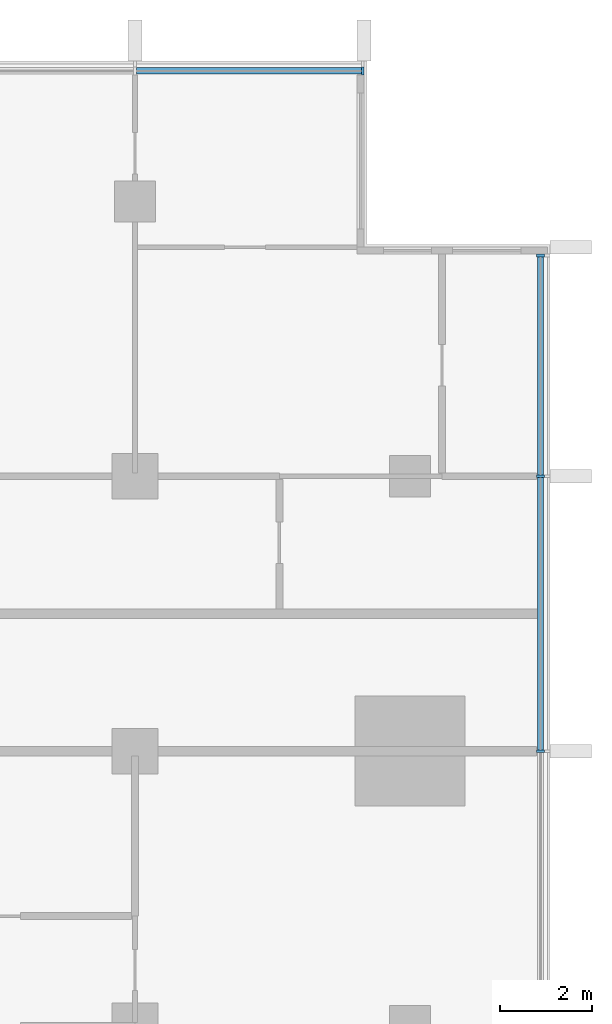
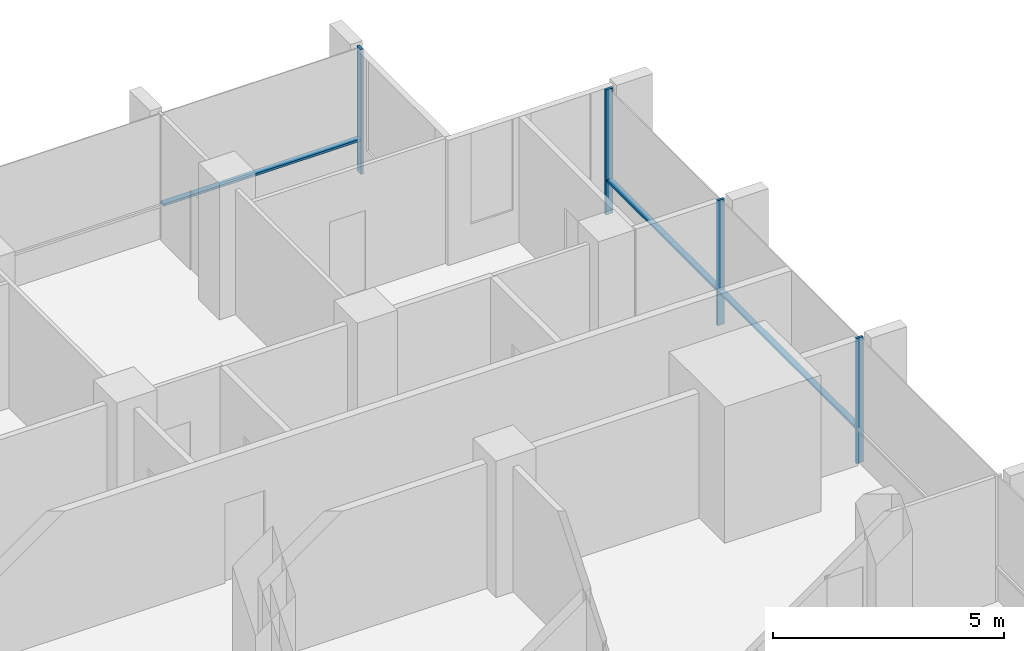
# One storey, part 5 of 17: 7 members, 2 elements without a shape of their own.
"""IFC4 building model written with IfcOpenShell, lengths in metres."""

import ifcopenshell
import ifcopenshell.guid

model = None  # the IFC model being written
_history = None  # IfcOwnerHistory: only IFC2X3 demands one
_inside = {}  # id of a spatial element -> (the spatial element, [elements in it])
_under = {}  # id of a project, library or spatial element -> (it, [spatial elements below it])
_declared = {}  # id of a project -> (the project, [libraries it declares])
_typed = {}  # id of a type object -> (the type object, [elements of that type])
_made_of = {}  # id of a material, layer set ... -> (it, [elements and type objects made of it])


def new_model(schema):
    """Start an empty IFC model of exactly this schema.

    Asked for "IFC4X3", IfcOpenShell would pick the latest addendum, in which some entities
    have other attributes; the version numbers below select the first issue.
    IFC2X3 requires an IfcOwnerHistory on every rooted entity: one is made here for all.
    """
    global model, _history
    if schema == "IFC4X3":
        model = ifcopenshell.file(schema_version=(4, 3, 0, 0))
    else:
        model = ifcopenshell.file(schema=schema)
    _inside.clear()
    _under.clear()
    _declared.clear()
    _typed.clear()
    _made_of.clear()
    _history = None
    if model.schema == "IFC2X3":
        org = make("IfcOrganization", Name="unknown")
        user = make(
            "IfcPersonAndOrganization",
            ThePerson=make("IfcPerson", FamilyName="unknown"),
            TheOrganization=org,
        )
        app = make(
            "IfcApplication",
            ApplicationDeveloper=org,
            Version="unknown",
            ApplicationFullName="unknown",
            ApplicationIdentifier="unknown",
        )
        _history = make(
            "IfcOwnerHistory",
            OwningUser=user,
            OwningApplication=app,
            ChangeAction="ADDED",
            CreationDate=0,
        )
    return model


def make(cls, **values):
    """One entity of the class cls with the attributes given. An attribute that is None is left unset."""
    return model.create_entity(
        cls, **{name: value for name, value in values.items() if value is not None}
    )


def rooted(cls, **values):
    """An entity with a GlobalId (a new one), such as an element, a storey or a relation."""
    return make(cls, GlobalId=ifcopenshell.guid.new(), OwnerHistory=_history, **values)


def si_unit(unit_type, name, prefix=None):
    """IfcSIUnit, for example si_unit("LENGTHUNIT", "METRE", prefix="MILLI")."""
    return make("IfcSIUnit", UnitType=unit_type, Prefix=prefix, Name=name)


def assignment(units):
    """IfcUnitAssignment: the units of a project."""
    return None if units is None else make("IfcUnitAssignment", Units=units)


def point(xyz):
    """IfcCartesianPoint."""
    return None if xyz is None else make("IfcCartesianPoint", Coordinates=xyz)


def direction(xyz):
    """IfcDirection."""
    return None if xyz is None else make("IfcDirection", DirectionRatios=xyz)


def frame(location, z_axis=None, x_axis=None):
    """IfcAxis2Placement3D, a coordinate frame: its origin and axes. An axis left out is left unset."""
    return make(
        "IfcAxis2Placement3D",
        Location=point(location),
        Axis=direction(z_axis),
        RefDirection=direction(x_axis),
    )


def frame_2d(location, x_axis=None):
    """IfcAxis2Placement2D, a coordinate frame in the plane: its origin and x axis."""
    return make(
        "IfcAxis2Placement2D", Location=point(location), RefDirection=direction(x_axis)
    )


def origin():
    """The frame at (0, 0, 0) with its axes left unset."""
    return frame((0.0, 0.0, 0.0))


def origin_2d():
    """The frame at (0, 0) in the plane with its x axis left unset."""
    return frame_2d((0.0, 0.0))


def place(relative_to, where):
    """IfcLocalPlacement: puts the frame where relative to a parent placement (None: the world)."""
    return make(
        "IfcLocalPlacement", PlacementRelTo=relative_to, RelativePlacement=where
    )


def context(
    kind, dimensions, precision=None, world=None, true_north=None, identifier=None
):
    """IfcGeometricRepresentationContext, for example the 3D "Model" context."""
    return make(
        "IfcGeometricRepresentationContext",
        ContextIdentifier=identifier,
        ContextType=kind,
        CoordinateSpaceDimension=dimensions,
        Precision=precision,
        WorldCoordinateSystem=world,
        TrueNorth=true_north,
    )


def subcontext(parent, identifier, kind, view, scale=None):
    """IfcGeometricRepresentationSubContext, for example "Body" below "Model"."""
    return make(
        "IfcGeometricRepresentationSubContext",
        ContextIdentifier=identifier,
        ContextType=kind,
        ParentContext=parent,
        TargetScale=scale,
        TargetView=view,
    )


def project(units=None, contexts=None):
    """IfcProject with its units and contexts."""
    return rooted(
        "IfcProject",
        Name="project",
        RepresentationContexts=contexts,
        UnitsInContext=assignment(units),
    )


def spatial(cls, under=None, at=None, **own):
    """A site, building, storey or space (cls), placed at a placement, below another one or the project."""
    s = rooted(cls, ObjectPlacement=at, **own)
    if under is not None:
        _under.setdefault(under.id(), (under, []))[1].append(s)
    return s


def profile(cls, at=None, kind="AREA", **sizes):
    """A parametric profile (cls). Its sizes go by their IFC names, for example OverallWidth=200.0."""
    return make(cls, ProfileType=kind, Position=at, **sizes)


def rectangle(**sizes):
    """IfcRectangleProfileDef."""
    return profile("IfcRectangleProfileDef", **sizes)


def extrude(swept, where, along, depth):
    """IfcExtrudedAreaSolid: the profile swept, set in the frame where, extruded along a direction by depth."""
    return make(
        "IfcExtrudedAreaSolid",
        SweptArea=swept,
        Position=where,
        ExtrudedDirection=direction(along),
        Depth=depth,
    )


def shape(context_of_items, identifier, shape_type, items):
    """IfcShapeRepresentation: the items that make up one representation, for example the "Body"."""
    return make(
        "IfcShapeRepresentation",
        ContextOfItems=context_of_items,
        RepresentationIdentifier=identifier,
        RepresentationType=shape_type,
        Items=items,
    )


def material(Name=None, Category=None):
    """IfcMaterial."""
    return make("IfcMaterial", Name=Name, Category=Category)


def material_profile(
    of_material, cross_section, Name=None, Category=None, Priority=None
):
    """IfcMaterialProfile: a cross section and its material."""
    return make(
        "IfcMaterialProfile",
        Name=Name,
        Material=of_material,
        Profile=cross_section,
        Priority=Priority,
        Category=Category,
    )


def profile_set(profiles, Name=None, composite=None):
    """IfcMaterialProfileSet."""
    return make(
        "IfcMaterialProfileSet",
        Name=Name,
        MaterialProfiles=profiles,
        CompositeProfile=composite,
    )


def made_of(thing, what):
    """Note that an element or type object is made of a material, layer set ...; save() writes the relation."""
    if what is not None:
        _made_of.setdefault(what.id(), (what, []))[1].append(thing)
    return thing


def type_object(cls, material=None, **own):
    """A type object (cls), such as IfcWallType, which elements share."""
    return made_of(rooted(cls, **own), material)


def element(
    cls,
    number,
    at=None,
    inside=None,
    cuts=None,
    type_object=None,
    material=None,
    context=None,
    identifier="Body",
    shape_type=None,
    held_by="IfcProductDefinitionShape",
    body=None,
    shapes=None,
    **own,
):
    """One element of the class cls, such as IfcWall. Its Tag is "e" and its number.

    at: its placement. inside: the storey or other place that contains it. cuts: it is an
    opening in that element (IfcRelVoidsElement). A single representation is given by context,
    identifier, shape_type and body (its items); several are given by shapes. held_by: the class
    of the entity that holds the representations. save() writes the other relations.
    """
    e = rooted(cls, Tag="e%d" % number, ObjectPlacement=at, **own)
    if body is not None:
        shapes = [shape(context, identifier, shape_type, body)]
    if shapes is not None:
        e.Representation = make(held_by, Representations=shapes)
    if inside is not None:
        _inside.setdefault(inside.id(), (inside, []))[1].append(e)
    if cuts is not None:
        rooted(
            "IfcRelVoidsElement", RelatingBuildingElement=cuts, RelatedOpeningElement=e
        )
    if type_object is not None:
        _typed.setdefault(type_object.id(), (type_object, []))[1].append(e)
    return made_of(e, material)


def aggregate(whole, parts):
    """IfcRelAggregates: a whole, such as a stair, and the parts it consists of."""
    return rooted("IfcRelAggregates", RelatingObject=whole, RelatedObjects=parts)


def save(model, path):
    """Write the relations noted so far, then the file.

    IfcRelAggregates (storeys below a building ...), IfcRelContainedInSpatialStructure (elements
    in a storey), IfcRelDefinesByType, IfcRelAssociatesMaterial and IfcRelDeclares: one each for
    every whole, place, type object, material and project.
    """
    for whole, parts in _under.values():
        aggregate(whole, parts)
    for where, things in _inside.values():
        rooted(
            "IfcRelContainedInSpatialStructure",
            RelatedElements=things,
            RelatingStructure=where,
        )
    for kind, things in _typed.values():
        rooted("IfcRelDefinesByType", RelatedObjects=things, RelatingType=kind)
    for what, things in _made_of.values():
        rooted("IfcRelAssociatesMaterial", RelatedObjects=things, RelatingMaterial=what)
    for by, libraries in _declared.values():
        rooted("IfcRelDeclares", RelatingContext=by, RelatedDefinitions=libraries)
    model.write(path)


model = new_model("IFC4")

# Units and contexts
model_context = context("Model", 3, precision=1e-05, world=origin(), true_north=direction((0.0, 1.0)))
body_context = subcontext(model_context, "Body", "Model", "MODEL_VIEW")
ifc_project = project(units=[si_unit("LENGTHUNIT", "METRE"), si_unit("AREAUNIT", "SQUARE_METRE"), si_unit("VOLUMEUNIT", "CUBIC_METRE"), si_unit("PLANEANGLEUNIT", "RADIAN"), si_unit("MASSUNIT", "GRAM", prefix="KILO")], contexts=[model_context])

# Site, building, storey
site_placement = place(None, origin())
site = spatial("IfcSite", under=ifc_project, at=site_placement, CompositionType="ELEMENT")
building_placement = place(site_placement, origin())
building = spatial("IfcBuilding", under=site, at=building_placement, Name="Finial Court Residences", CompositionType="ELEMENT")
storey_placement = place(building_placement, frame((0.0, 0.0, 174.5)))
storey = spatial("IfcBuildingStorey", under=building, at=storey_placement, Name="L43", CompositionType="ELEMENT", Elevation=174.5)

# Curtain wall, member
ifc_material = material(Name="Bronze anodised aluminium", Category="aluminium")
curtain_wall_type = type_object("IfcCurtainWallType", Name="Unitised curtain wall, upper zones", PredefinedType="NOTDEFINED", material=ifc_material)
curtain_wall_1_placement = place(storey_placement, origin())
curtain_wall_1 = element("IfcCurtainWall", 1, at=curtain_wall_1_placement, inside=storey, type_object=curtain_wall_type, Name="E-L43-CW-N3", PredefinedType="NOTDEFINED")
ifc_material_profile_1 = material_profile(ifc_material, rectangle(XDim=0.175048828125, YDim=0.06005859375, at=origin_2d()), Name="CW2 mullion 60 x 175")
ifc_profile_set_1 = profile_set([ifc_material_profile_1], Name="Bronze anodised aluminium")
member_type_1 = type_object("IfcMemberType", Name="CW2 mullion 60 x 175", PredefinedType="MULLION", material=ifc_profile_set_1)
member_1_placement = place(storey_placement, frame((15.469970703125, 22.35009765625, 0.0), z_axis=(0.0, 0.0, 1.0), x_axis=(0.0, 1.0, 0.0)))
member_1 = element("IfcMember", 2, at=member_1_placement, type_object=member_type_1, Name="CW2 mullion 3", PredefinedType="MULLION", context=body_context, shape_type="SweptSolid", body=[
    extrude(rectangle(XDim=0.175048828125, YDim=0.06005859375, at=origin_2d()), origin(), (0.0, 0.0, 1.0), 3.300048828125),
])

# Curtain wall, members
curtain_wall_2_placement = place(storey_placement, origin())
curtain_wall_2 = element("IfcCurtainWall", 3, at=curtain_wall_2_placement, inside=storey, type_object=curtain_wall_type, Name="E-L43-CW-E6", PredefinedType="NOTDEFINED")
member_2_placement = place(storey_placement, frame((19.35009765625, 7.5, 0.0), z_axis=(0.0, 0.0, 1.0), x_axis=(-1.0, 0.0, 0.0)))
member_2 = element("IfcMember", 4, at=member_2_placement, type_object=member_type_1, Name="CW2 mullion 3", PredefinedType="MULLION", context=body_context, shape_type="SweptSolid", body=[
    extrude(rectangle(XDim=0.175048828125, YDim=0.06005859375, at=origin_2d()), origin(), (0.0, 0.0, 1.0), 3.300048828125),
])
member_3_placement = place(storey_placement, frame((19.35009765625, 13.5, 0.0), z_axis=(0.0, 0.0, 1.0), x_axis=(-1.0, 0.0, 0.0)))
member_3 = element("IfcMember", 5, at=member_3_placement, type_object=member_type_1, Name="CW2 mullion 4", PredefinedType="MULLION", context=body_context, shape_type="SweptSolid", body=[
    extrude(rectangle(XDim=0.175048828125, YDim=0.06005859375, at=origin_2d()), origin(), (0.0, 0.0, 1.0), 3.300048828125),
])
member_4_placement = place(storey_placement, frame((19.35009765625, 18.320068359375, 0.0), z_axis=(0.0, 0.0, 1.0), x_axis=(-1.0, 0.0, 0.0)))
member_4 = element("IfcMember", 6, at=member_4_placement, type_object=member_type_1, Name="CW2 mullion 5", PredefinedType="MULLION", context=body_context, shape_type="SweptSolid", body=[
    extrude(rectangle(XDim=0.175048828125, YDim=0.06005859375, at=origin_2d()), origin(), (0.0, 0.0, 1.0), 3.300048828125),
])

# Member
ifc_material_profile_2 = material_profile(ifc_material, rectangle(XDim=0.139892578125, YDim=0.06005859375, at=origin_2d()), Name="CW2 transom 60 x 140")
ifc_profile_set_2 = profile_set([ifc_material_profile_2], Name="Bronze anodised aluminium")
member_type_2 = type_object("IfcMemberType", Name="CW2 transom 60 x 140", PredefinedType="USERDEFINED", material=ifc_profile_set_2)
member_5_placement = place(storey_placement, frame((10.530029296875, 22.35009765625, 0.89990234375), z_axis=(1.0, 0.0, 0.0), x_axis=(0.0, 1.0, 0.0)))
member_5 = element("IfcMember", 7, at=member_5_placement, type_object=member_type_2, Name="CW2 transom 2.1", ObjectType="TRANSOM", PredefinedType="USERDEFINED", context=body_context, shape_type="SweptSolid", body=[
    extrude(rectangle(XDim=0.139892578125, YDim=0.06005859375, at=origin_2d()), origin(), (0.0, 0.0, 1.0), 4.909912109375),
])

aggregate(curtain_wall_1, [member_1, member_5])

member_6_placement = place(storey_placement, frame((19.35009765625, 7.530029296875, 0.89990234375), z_axis=(0.0, 1.0, 0.0), x_axis=(-1.0, 0.0, 0.0)))
member_6 = element("IfcMember", 8, at=member_6_placement, type_object=member_type_2, Name="CW2 transom 3.1", ObjectType="TRANSOM", PredefinedType="USERDEFINED", context=body_context, shape_type="SweptSolid", body=[
    extrude(rectangle(XDim=0.139892578125, YDim=0.06005859375, at=origin_2d()), origin(), (0.0, 0.0, 1.0), 5.93994140625),
])

member_7_placement = place(storey_placement, frame((19.35009765625, 13.530029296875, 0.89990234375), z_axis=(0.0, 1.0, 0.0), x_axis=(-1.0, 0.0, 0.0)))
member_7 = element("IfcMember", 9, at=member_7_placement, type_object=member_type_2, Name="CW2 transom 4.1", ObjectType="TRANSOM", PredefinedType="USERDEFINED", context=body_context, shape_type="SweptSolid", body=[
    extrude(rectangle(XDim=0.139892578125, YDim=0.06005859375, at=origin_2d()), origin(), (0.0, 0.0, 1.0), 4.760009765625),
])

aggregate(curtain_wall_2, [member_2, member_3, member_4, member_6, member_7])

save(model, "model.ifc")
